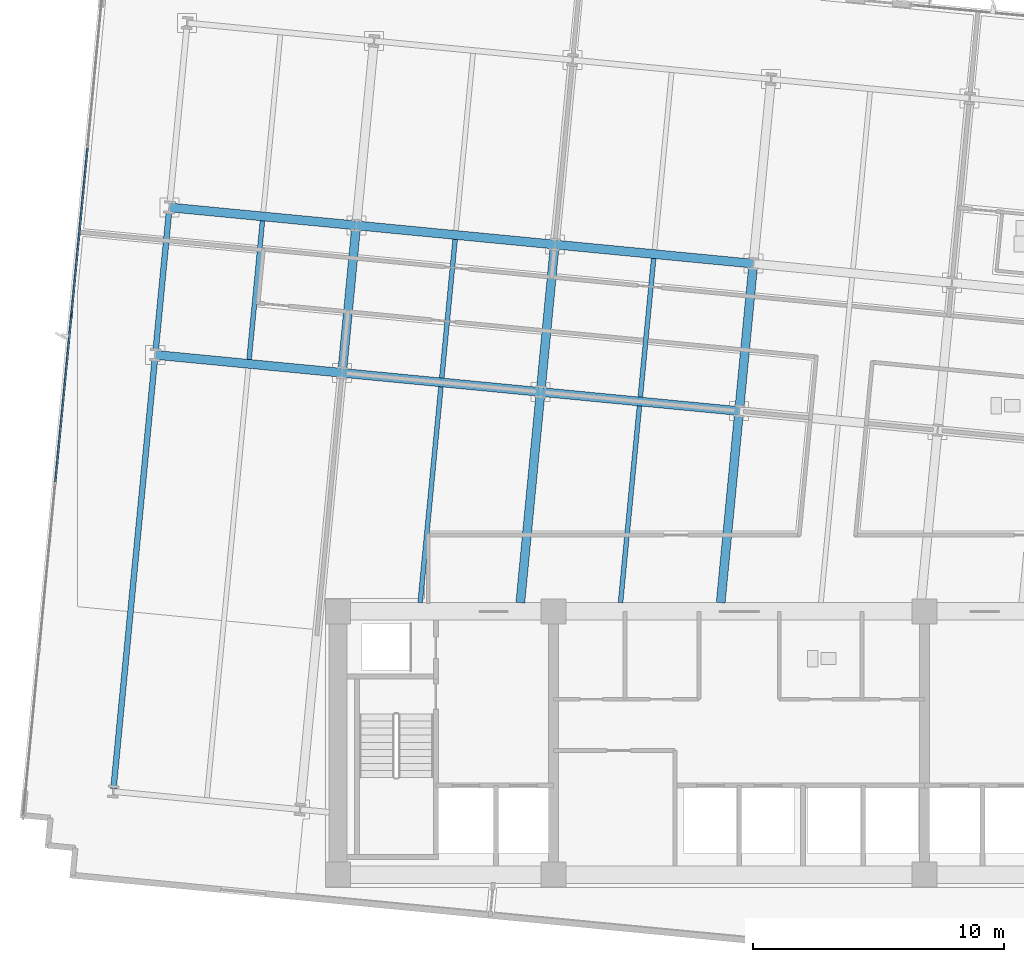
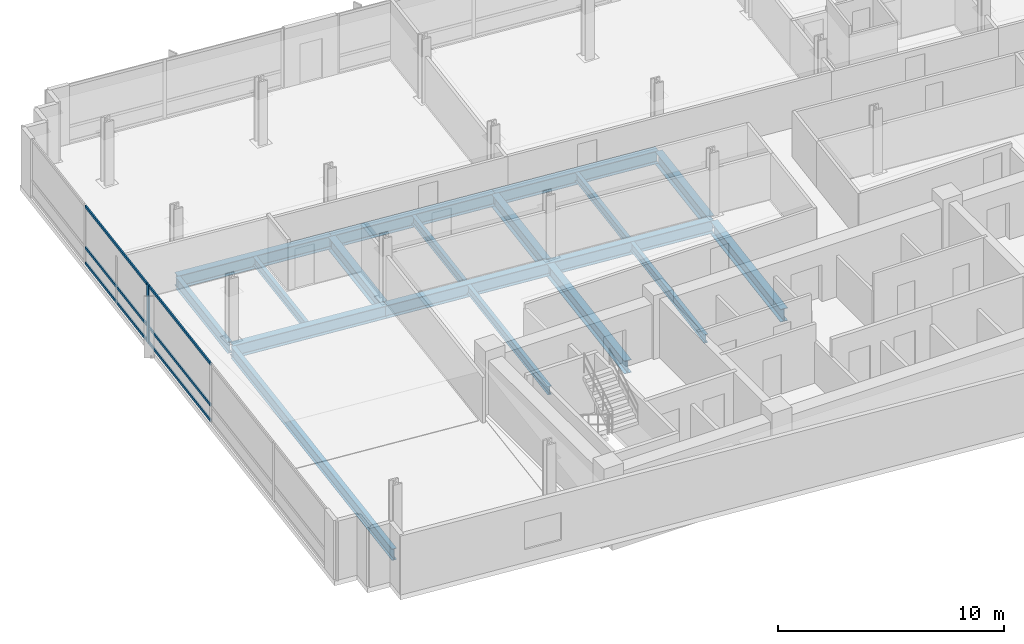
# One storey, part 4 of 16: 18 beams, 7 members, 1 element without a shape of its own.
"""IFC4 building model written with IfcOpenShell, lengths in metres."""

from ifc_helpers import new_model, si_unit, direction, frame, origin, origin_2d, place, context, subcontext, project, spatial, rectangle, i_section, extrude, material, material_profile, profile_set, type_object, element, aggregate, save


model = new_model("IFC4")

# Units and contexts
model_context = context("Model", 3, precision=1e-05, world=origin(), true_north=direction((0.0, 1.0)))
body_context = subcontext(model_context, "Body", "Model", "MODEL_VIEW")
ifc_project = project(units=[si_unit("LENGTHUNIT", "METRE"), si_unit("AREAUNIT", "SQUARE_METRE"), si_unit("VOLUMEUNIT", "CUBIC_METRE"), si_unit("PLANEANGLEUNIT", "RADIAN"), si_unit("MASSUNIT", "GRAM", prefix="KILO")], contexts=[model_context])

# Site, building, storey
site_placement = place(None, origin())
site = spatial("IfcSite", under=ifc_project, at=site_placement, CompositionType="ELEMENT")
building_placement = place(site_placement, origin())
building = spatial("IfcBuilding", under=site, at=building_placement, Name="Solmavex Isthmus Hotel", CompositionType="ELEMENT")
storey_placement = place(building_placement, frame((0.0, 0.0, 160.050048828125)))
storey = spatial("IfcBuildingStorey", under=building, at=storey_placement, Name="L43", CompositionType="ELEMENT", Elevation=160.050048828125)

# Beams
ifc_material_1 = material(Name="Steel ASTM A992 Grade 50", Category="steel")
ifc_material_profile_1 = material_profile(ifc_material_1, i_section(OverallWidth=0.354736328125, OverallDepth=0.695556640625, WebThickness=0.015380859375, FlangeThickness=0.02490234375, FilletRadius=0.017822265625, at=origin_2d()), Name="W27X146")
ifc_profile_set_1 = profile_set([ifc_material_profile_1], Name="Steel ASTM A992 Grade 50")
beam_type_1 = type_object("IfcBeamType", Name="BM-BG-W27X146", PredefinedType="BEAM", material=ifc_profile_set_1)
beam_1_placement = place(storey_placement, frame((-23.291015625, 7.733154296875, -0.60791015625), z_axis=(0.995395279593, -0.095855293875, 0.0), x_axis=(0.095855293875, 0.995395279593, 0.0)))
element("IfcBeam", 1, at=beam_1_placement, inside=storey, type_object=beam_type_1, Name="Floor Girder L43-UG03", PredefinedType="BEAM", context=body_context, shape_type="SweptSolid", body=[
    extrude(i_section(OverallWidth=0.354736328125, OverallDepth=0.695556640625, WebThickness=0.015380859375, FlangeThickness=0.02490234375, FilletRadius=0.017822265625, at=origin_2d()), origin(), (0.0, 0.0, 1.0), 7.488037109375),
])
beam_2_placement = place(storey_placement, frame((-15.83740234375, 7.015380859375, -0.60791015625), z_axis=(0.995397158178, -0.095835783981, 0.0), x_axis=(0.095835783981, 0.995397158178, 0.0)))
element("IfcBeam", 2, at=beam_2_placement, inside=storey, type_object=beam_type_1, Name="Floor Girder L43-UG04", PredefinedType="BEAM", context=body_context, shape_type="SweptSolid", body=[
    extrude(i_section(OverallWidth=0.354736328125, OverallDepth=0.695556640625, WebThickness=0.015380859375, FlangeThickness=0.02490234375, FilletRadius=0.017822265625, at=origin_2d()), origin(), (0.0, 0.0, 1.0), 7.955810546875),
])
beam_3_placement = place(storey_placement, frame((-7.918212890625, 6.2529296875, -0.60791015625), z_axis=(0.995394512348, -0.095863260885, 0.0), x_axis=(0.095863260885, 0.995394512348, 0.0)))
element("IfcBeam", 3, at=beam_3_placement, inside=storey, type_object=beam_type_1, Name="Floor Girder L43-UG05", PredefinedType="BEAM", context=body_context, shape_type="SweptSolid", body=[
    extrude(i_section(OverallWidth=0.354736328125, OverallDepth=0.695556640625, WebThickness=0.015380859375, FlangeThickness=0.02490234375, FilletRadius=0.017822265625, at=origin_2d()), origin(), (0.0, 0.0, 1.0), 7.9560546875),
])
beam_4_placement = place(storey_placement, frame((-22.724853515625, 13.614013671875, -0.60791015625), z_axis=(0.995395279593, -0.095855293875, 0.0), x_axis=(0.095855293875, 0.995395279593, 0.0)))
element("IfcBeam", 4, at=beam_4_placement, inside=storey, type_object=beam_type_1, Name="Floor Girder L43-UG09", PredefinedType="BEAM", context=body_context, shape_type="SweptSolid", body=[
    extrude(i_section(OverallWidth=0.354736328125, OverallDepth=0.695556640625, WebThickness=0.015380859375, FlangeThickness=0.02490234375, FilletRadius=0.017822265625, at=origin_2d()), origin(), (0.0, 0.0, 1.0), 7.488037109375),
])
for number, where, z_axis, x_axis, name in (
    (5, (-15.271240234375, 12.896240234375, -0.60791015625), (0.995397440011, -0.095832856685, 0.0), (0.095832856685, 0.995397440011, 0.0), "Floor Girder L43-UG10"),
    (6, (-7.351806640625, 12.1337890625, -0.60791015625), (0.995394512348, -0.095863260885, 0.0), (0.095863260885, 0.995394512348, 0.0), "Floor Girder L43-UG11"),
):
    element("IfcBeam", number, at=place(storey_placement, frame(where, z_axis=z_axis, x_axis=x_axis)), inside=storey, type_object=beam_type_1, Name=name, PredefinedType="BEAM", context=body_context, shape_type="SweptSolid", body=[
        extrude(i_section(OverallWidth=0.354736328125, OverallDepth=0.695556640625, WebThickness=0.015380859375, FlangeThickness=0.02490234375, FilletRadius=0.017822265625, at=origin_2d()), origin(), (0.0, 0.0, 1.0), 7.9560546875),
    ])
beam_5_placement = place(storey_placement, frame((-15.820556640625, 7.19189453125, -0.60791015625), z_axis=(0.095838058801, 0.995396939158, 0.0), x_axis=(-0.995396939158, 0.095838058801, 0.0)))
element("IfcBeam", 7, at=beam_5_placement, inside=storey, type_object=beam_type_1, Name="Floor Beam L43-VG25", PredefinedType="BEAM", context=body_context, shape_type="SweptSolid", body=[
    extrude(i_section(OverallWidth=0.354736328125, OverallDepth=0.695556640625, WebThickness=0.015380859375, FlangeThickness=0.02490234375, FilletRadius=0.017822265625, at=origin_2d()), origin(), (0.0, 0.0, 1.0), 5.553466796875),
])
beam_6_placement = place(storey_placement, frame((-8.727294921875, -2.14990234375, -0.60791015625), z_axis=(0.095861573524, 0.995394674851, 0.0), x_axis=(-0.995394674851, 0.095861573524, 0.0)))
element("IfcBeam", 8, at=beam_6_placement, inside=storey, type_object=beam_type_1, Name="Floor Beam L43-VG27", PredefinedType="BEAM", context=body_context, shape_type="SweptSolid", body=[
    extrude(i_section(OverallWidth=0.354736328125, OverallDepth=0.695556640625, WebThickness=0.015380859375, FlangeThickness=0.02490234375, FilletRadius=0.017822265625, at=origin_2d()), origin(), (0.0, 0.0, 1.0), 8.264404296875),
])
beam_7_placement = place(storey_placement, frame((-7.901123046875, 6.429443359375, -0.60791015625), z_axis=(0.095842252862, 0.99539653534, 0.0), x_axis=(-0.99539653534, 0.095842252862, 0.0)))
element("IfcBeam", 9, at=beam_7_placement, inside=storey, type_object=beam_type_1, Name="Floor Beam L43-VG28", PredefinedType="BEAM", context=body_context, shape_type="SweptSolid", body=[
    extrude(i_section(OverallWidth=0.354736328125, OverallDepth=0.695556640625, WebThickness=0.015380859375, FlangeThickness=0.02490234375, FilletRadius=0.017822265625, at=origin_2d()), origin(), (0.0, 0.0, 1.0), 5.55322265625),
])
beam_8_placement = place(storey_placement, frame((-0.734375, -2.14990234375, -0.60791015625), z_axis=(0.095856963455, 0.995395118813, 0.0), x_axis=(-0.995395118813, 0.095856963455, 0.0)))
element("IfcBeam", 10, at=beam_8_placement, inside=storey, type_object=beam_type_1, Name="Floor Beam L43-VG30", PredefinedType="BEAM", context=body_context, shape_type="SweptSolid", body=[
    extrude(i_section(OverallWidth=0.354736328125, OverallDepth=0.695556640625, WebThickness=0.015380859375, FlangeThickness=0.02490234375, FilletRadius=0.017822265625, at=origin_2d()), origin(), (0.0, 0.0, 1.0), 7.498046875),
])
beam_9_placement = place(storey_placement, frame((0.018310546875, 5.6669921875, -0.60791015625), z_axis=(0.095842252862, 0.99539653534, 0.0), x_axis=(-0.99539653534, 0.095842252862, 0.0)))
element("IfcBeam", 11, at=beam_9_placement, inside=storey, type_object=beam_type_1, Name="Floor Beam L43-VG31", PredefinedType="BEAM", context=body_context, shape_type="SweptSolid", body=[
    extrude(i_section(OverallWidth=0.354736328125, OverallDepth=0.695556640625, WebThickness=0.015380859375, FlangeThickness=0.02490234375, FilletRadius=0.017822265625, at=origin_2d()), origin(), (0.0, 0.0, 1.0), 5.55322265625),
])
ifc_material_profile_2 = material_profile(ifc_material_1, i_section(OverallWidth=0.1904296875, OverallDepth=0.456787109375, WebThickness=0.009033203125, FlangeThickness=0.014404296875, FilletRadius=0.0126953125, at=origin_2d()), Name="W18X50")
ifc_profile_set_2 = profile_set([ifc_material_profile_2], Name="Steel ASTM A992 Grade 50")
beam_type_2 = type_object("IfcBeamType", Name="BM-BJ-W18X50", PredefinedType="JOIST", material=ifc_profile_set_2)
beam_10_placement = place(storey_placement, frame((-19.547119140625, 7.55078125, -0.488525390625), z_axis=(0.095842252862, 0.99539653534, 0.0), x_axis=(-0.99539653534, 0.095842252862, 0.0)))
element("IfcBeam", 12, at=beam_10_placement, inside=storey, type_object=beam_type_2, Name="Secondary Floor Joist L43-J02", PredefinedType="JOIST", context=body_context, shape_type="SweptSolid", body=[
    extrude(i_section(OverallWidth=0.1904296875, OverallDepth=0.456787109375, WebThickness=0.009033203125, FlangeThickness=0.014404296875, FilletRadius=0.0126953125, at=origin_2d()), origin(), (0.0, 0.0, 1.0), 5.55322265625),
])
beam_11_placement = place(storey_placement, frame((-12.7236328125, -2.14990234375, -0.488525390625), z_axis=(0.095852279322, 0.995395569886, 0.0), x_axis=(-0.995395569886, 0.095852279322, 0.0)))
element("IfcBeam", 13, at=beam_11_placement, inside=storey, type_object=beam_type_2, Name="Secondary Floor Joist L43-J04", PredefinedType="JOIST", context=body_context, shape_type="SweptSolid", body=[
    extrude(i_section(OverallWidth=0.1904296875, OverallDepth=0.456787109375, WebThickness=0.009033203125, FlangeThickness=0.014404296875, FilletRadius=0.0126953125, at=origin_2d()), origin(), (0.0, 0.0, 1.0), 8.647216796875),
])
beam_12_placement = place(storey_placement, frame((-11.86083984375, 6.810791015625, -0.488525390625), z_axis=(0.095842252862, 0.99539653534, 0.0), x_axis=(-0.99539653534, 0.095842252862, 0.0)))
element("IfcBeam", 14, at=beam_12_placement, inside=storey, type_object=beam_type_2, Name="Secondary Floor Joist L43-J05", PredefinedType="JOIST", context=body_context, shape_type="SweptSolid", body=[
    extrude(i_section(OverallWidth=0.1904296875, OverallDepth=0.456787109375, WebThickness=0.009033203125, FlangeThickness=0.014404296875, FilletRadius=0.0126953125, at=origin_2d()), origin(), (0.0, 0.0, 1.0), 5.55322265625),
])
beam_13_placement = place(storey_placement, frame((-4.730712890625, -2.14990234375, -0.488525390625), z_axis=(0.09584403416, 0.995396363825, 0.0), x_axis=(-0.995396363825, 0.09584403416, 0.0)))
element("IfcBeam", 15, at=beam_13_placement, inside=storey, type_object=beam_type_2, Name="Secondary Floor Joist L43-J07", PredefinedType="JOIST", context=body_context, shape_type="SweptSolid", body=[
    extrude(i_section(OverallWidth=0.1904296875, OverallDepth=0.456787109375, WebThickness=0.009033203125, FlangeThickness=0.014404296875, FilletRadius=0.0126953125, at=origin_2d()), origin(), (0.0, 0.0, 1.0), 7.88134765625),
])
beam_14_placement = place(storey_placement, frame((-3.94140625, 6.048095703125, -0.488525390625), z_axis=(0.095838058801, 0.995396939158, 0.0), x_axis=(-0.995396939158, 0.095838058801, 0.0)))
element("IfcBeam", 16, at=beam_14_placement, inside=storey, type_object=beam_type_2, Name="Secondary Floor Joist L43-J08", PredefinedType="JOIST", context=body_context, shape_type="SweptSolid", body=[
    extrude(i_section(OverallWidth=0.1904296875, OverallDepth=0.456787109375, WebThickness=0.009033203125, FlangeThickness=0.014404296875, FilletRadius=0.0126953125, at=origin_2d()), origin(), (0.0, 0.0, 1.0), 5.553466796875),
])
ifc_material_profile_3 = material_profile(ifc_material_1, i_section(OverallWidth=0.230224609375, OverallDepth=0.617431640625, WebThickness=0.01318359375, FlangeThickness=0.022216796875, FilletRadius=0.01513671875, at=origin_2d()), Name="W24X94")
ifc_profile_set_3 = profile_set([ifc_material_profile_3], Name="Steel ASTM A992 Grade 50")
beam_type_3 = type_object("IfcBeamType", Name="BM-SP-W24X94", PredefinedType="SPANDREL", material=ifc_profile_set_3)
beam_15_placement = place(storey_placement, frame((-24.957275390625, -9.571533203125, -0.56884765625), z_axis=(0.095840821687, 0.99539667314, 0.0), x_axis=(-0.99539667314, 0.095840821687, 0.0)))
element("IfcBeam", 17, at=beam_15_placement, inside=storey, type_object=beam_type_3, Name="Floor Beam L43-VG21", PredefinedType="SPANDREL", context=body_context, shape_type="SweptSolid", body=[
    extrude(i_section(OverallWidth=0.230224609375, OverallDepth=0.617431640625, WebThickness=0.01318359375, FlangeThickness=0.022216796875, FilletRadius=0.01513671875, at=origin_2d()), origin(), (0.0, 0.0, 1.0), 17.207275390625),
])
beam_16_placement = place(storey_placement, frame((-23.27392578125, 7.90966796875, -0.56884765625), z_axis=(0.095842252862, 0.99539653534, 0.0), x_axis=(-0.99539653534, 0.095842252862, 0.0)))
element("IfcBeam", 18, at=beam_16_placement, inside=storey, type_object=beam_type_3, Name="Floor Beam L43-VG22", PredefinedType="SPANDREL", context=body_context, shape_type="SweptSolid", body=[
    extrude(i_section(OverallWidth=0.230224609375, OverallDepth=0.617431640625, WebThickness=0.01318359375, FlangeThickness=0.022216796875, FilletRadius=0.01513671875, at=origin_2d()), origin(), (0.0, 0.0, 1.0), 5.55322265625),
])

# Curtain wall, members
ifc_material_2 = material(Name="Aluminium alloy 6063-T6", Category="aluminium")
curtain_wall_type = type_object("IfcCurtainWallType", Name="CW-SYS-03", PredefinedType="NOTDEFINED", material=ifc_material_2)
curtain_wall_placement = place(storey_placement, origin())
curtain_wall = element("IfcCurtainWall", 19, at=curtain_wall_placement, inside=storey, type_object=curtain_wall_type, Name="Stick Curtain Wall CWL-L43-W1", PredefinedType="NOTDEFINED")
ifc_material_profile_4 = material_profile(ifc_material_2, rectangle(XDim=0.070068359375, YDim=0.179931640625, at=origin_2d()), Name="CWM-70X180")
ifc_profile_set_4 = profile_set([ifc_material_profile_4], Name="Aluminium alloy 6063-T6")
member_type_1 = type_object("IfcMemberType", Name="CW-SYS-03-MUL", PredefinedType="MULLION", material=ifc_profile_set_4)
member_1_placement = place(storey_placement, frame((-26.63427734375, 9.32080078125, 0.0), z_axis=(0.0, 0.0, 1.0), x_axis=(-0.995396190038, 0.09584583902, 0.0)))
member_1 = element("IfcMember", 20, at=member_1_placement, type_object=member_type_1, Name="CW-03 mullion 4", PredefinedType="MULLION", context=body_context, shape_type="SweptSolid", body=[
    extrude(rectangle(XDim=0.070068359375, YDim=0.179931640625, at=origin_2d()), origin(), (0.0, 0.0, 1.0), 3.18994140625),
])
ifc_material_profile_5 = material_profile(ifc_material_2, rectangle(XDim=0.070068359375, YDim=0.139892578125, at=origin_2d()), Name="CWT-70X140")
ifc_profile_set_5 = profile_set([ifc_material_profile_5], Name="Aluminium alloy 6063-T6")
member_type_2 = type_object("IfcMemberType", Name="CW-SYS-03-TRN", PredefinedType="USERDEFINED", material=ifc_profile_set_5)
member_2_placement = place(storey_placement, frame((-27.27490234375, 2.666748046875, 0.070068359375), z_axis=(0.095857212138, 0.995395094865, 0.0), x_axis=(-0.995395094865, 0.095857212138, 0.0)))
member_2 = element("IfcMember", 21, at=member_2_placement, type_object=member_type_2, Name="CW-03 transom 3.1", ObjectType="TRANSOM", PredefinedType="USERDEFINED", context=body_context, shape_type="SweptSolid", body=[
    extrude(rectangle(XDim=0.070068359375, YDim=0.139892578125, at=origin_2d()), origin(), (0.0, 0.0, 1.0), 6.64990234375),
])
member_3_placement = place(storey_placement, frame((-27.27490234375, 2.666748046875, 0.89990234375), z_axis=(0.095857212138, 0.995395094865, 0.0), x_axis=(-0.995395094865, 0.095857212138, 0.0)))
member_3 = element("IfcMember", 22, at=member_3_placement, type_object=member_type_2, Name="CW-03 transom 3.2", ObjectType="TRANSOM", PredefinedType="USERDEFINED", context=body_context, shape_type="SweptSolid", body=[
    extrude(rectangle(XDim=0.070068359375, YDim=0.139892578125, at=origin_2d()), origin(), (0.0, 0.0, 1.0), 6.64990234375),
])
member_4_placement = place(storey_placement, frame((-27.27490234375, 2.666748046875, 3.119873046875), z_axis=(0.095857212138, 0.995395094865, 0.0), x_axis=(-0.995395094865, 0.095857212138, 0.0)))
member_4 = element("IfcMember", 23, at=member_4_placement, type_object=member_type_2, Name="CW-03 transom 3.3", ObjectType="TRANSOM", PredefinedType="USERDEFINED", context=body_context, shape_type="SweptSolid", body=[
    extrude(rectangle(XDim=0.070068359375, YDim=0.139892578125, at=origin_2d()), origin(), (0.0, 0.0, 1.0), 6.64990234375),
])
member_5_placement = place(storey_placement, frame((-26.630859375, 9.355712890625, 0.070068359375), z_axis=(0.095857212138, 0.995395094865, 0.0), x_axis=(-0.995395094865, 0.095857212138, 0.0)))
member_5 = element("IfcMember", 24, at=member_5_placement, type_object=member_type_2, Name="CW-03 transom 4.1", ObjectType="TRANSOM", PredefinedType="USERDEFINED", context=body_context, shape_type="SweptSolid", body=[
    extrude(rectangle(XDim=0.070068359375, YDim=0.139892578125, at=origin_2d()), origin(), (0.0, 0.0, 1.0), 6.64990234375),
])
member_6_placement = place(storey_placement, frame((-26.630859375, 9.355712890625, 0.89990234375), z_axis=(0.095857212138, 0.995395094865, 0.0), x_axis=(-0.995395094865, 0.095857212138, 0.0)))
member_6 = element("IfcMember", 25, at=member_6_placement, type_object=member_type_2, Name="CW-03 transom 4.2", ObjectType="TRANSOM", PredefinedType="USERDEFINED", context=body_context, shape_type="SweptSolid", body=[
    extrude(rectangle(XDim=0.070068359375, YDim=0.139892578125, at=origin_2d()), origin(), (0.0, 0.0, 1.0), 6.64990234375),
])
member_7_placement = place(storey_placement, frame((-26.630859375, 9.355712890625, 3.119873046875), z_axis=(0.095857212138, 0.995395094865, 0.0), x_axis=(-0.995395094865, 0.095857212138, 0.0)))
member_7 = element("IfcMember", 26, at=member_7_placement, type_object=member_type_2, Name="CW-03 transom 4.3", ObjectType="TRANSOM", PredefinedType="USERDEFINED", context=body_context, shape_type="SweptSolid", body=[
    extrude(rectangle(XDim=0.070068359375, YDim=0.139892578125, at=origin_2d()), origin(), (0.0, 0.0, 1.0), 6.64990234375),
])
aggregate(curtain_wall, [member_1, member_2, member_3, member_4, member_5, member_6, member_7])

save(model, "model.ifc")
